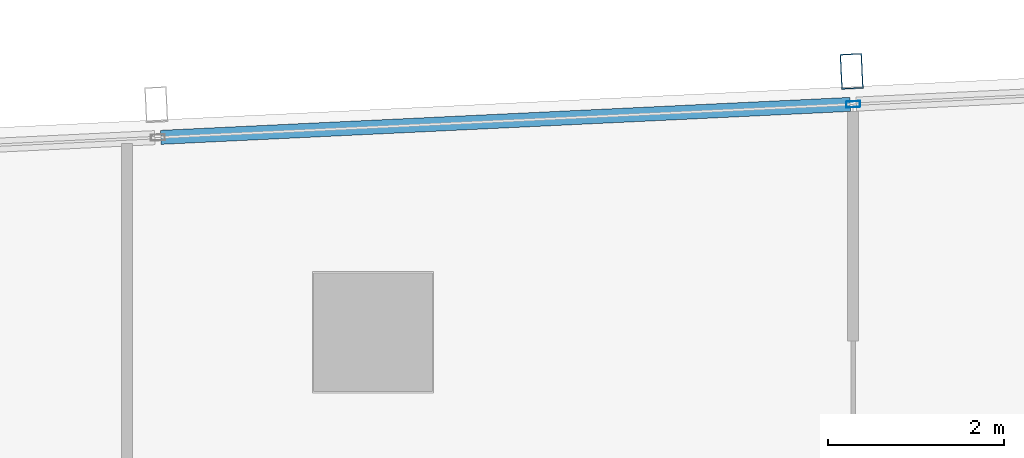
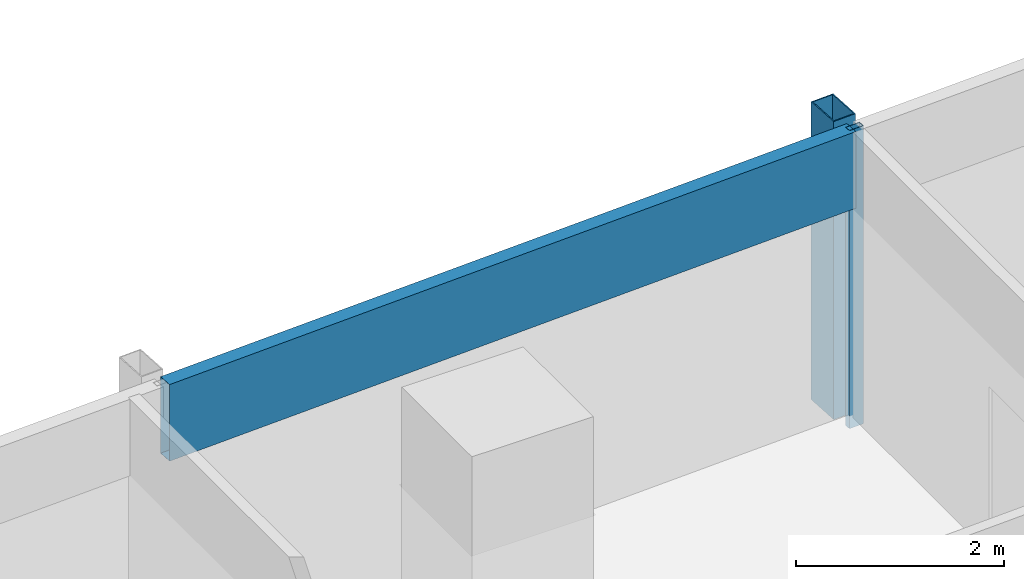
# One storey, part 18 of 39: 3 members, 1 element without a shape of its own.
"""IFC4 building model written with IfcOpenShell, lengths in metres."""

from ifc_helpers import new_model, si_unit, direction, frame, origin, origin_2d, place, context, subcontext, project, spatial, hollow_rectangle, extrude, material, material_profile, profile_set, type_object, element, aggregate, save


model = new_model("IFC4")

# Units and contexts
model_context = context("Model", 3, precision=1e-05, world=origin(), true_north=direction((0.0, 1.0)))
body_context = subcontext(model_context, "Body", "Model", "MODEL_VIEW")
ifc_project = project(units=[si_unit("LENGTHUNIT", "METRE"), si_unit("AREAUNIT", "SQUARE_METRE"), si_unit("VOLUMEUNIT", "CUBIC_METRE"), si_unit("PLANEANGLEUNIT", "RADIAN"), si_unit("MASSUNIT", "GRAM", prefix="KILO")], contexts=[model_context])

# Site, building, storey
site_placement = place(None, origin())
site = spatial("IfcSite", under=ifc_project, at=site_placement, CompositionType="ELEMENT")
building_placement = place(site_placement, origin())
building = spatial("IfcBuilding", under=site, at=building_placement, Name="Rekha Terrace Tower", CompositionType="ELEMENT")
storey_placement = place(building_placement, frame((0.0, 0.0, 221.449951171875)))
storey = spatial("IfcBuildingStorey", under=building, at=storey_placement, Name="L56", CompositionType="ELEMENT", Elevation=221.449951171875)

# Curtain wall, members
ifc_material_1 = material(Name="Aluminium framing", Category="aluminium")
curtain_wall_type = type_object("IfcCurtainWallType", Name="CW3 north unitised glazing", PredefinedType="USERDEFINED", material=ifc_material_1)
curtain_wall_placement = place(storey_placement, origin())
curtain_wall = element("IfcCurtainWall", 1, at=curtain_wall_placement, inside=storey, type_object=curtain_wall_type, Name="CW3 unitised curtain wall", ObjectType="UNITISED CURTAIN WALL", PredefinedType="USERDEFINED")
ifc_material_2 = material(Name="Steel S355 with fluorocarbon finish", Category="steel")
ifc_material_profile_1 = material_profile(ifc_material_2, hollow_rectangle(XDim=0.25, YDim=0.39990234375, WallThickness=0.012451171875, at=origin_2d()), Name="RHS400x250x12.5")
ifc_profile_set_1 = profile_set([ifc_material_profile_1], Name="Steel S355 with fluorocarbon finish")
member_type_1 = type_object("IfcMemberType", Name="BL1 facade blade RHS 400 x 250", PredefinedType="USERDEFINED", material=ifc_profile_set_1)
member_1_placement = place(storey_placement, frame((30.643310546875, 61.767578125, 0.0), z_axis=(0.0, 0.0, 1.0), x_axis=(-0.998858913274, -0.04775846913, 0.0)))
member_1 = element("IfcMember", 2, at=member_1_placement, type_object=member_type_1, Name="Facade blade", ObjectType="FACADE BLADE", PredefinedType="USERDEFINED", context=body_context, shape_type="SweptSolid", body=[
    extrude(hollow_rectangle(XDim=0.25, YDim=0.39990234375, WallThickness=0.012451171875, at=origin_2d()), origin(), (0.0, 0.0, 1.0), 3.5),
])
ifc_material_3 = material(Name="Aluminium mullion section", Category="aluminium")
ifc_material_profile_2 = material_profile(ifc_material_3, hollow_rectangle(XDim=0.070068359375, YDim=0.159912109375, WallThickness=0.00390625, at=origin_2d()), Name="AL RHS 70x160")
ifc_profile_set_2 = profile_set([ifc_material_profile_2], Name="Aluminium mullion section")
member_type_2 = type_object("IfcMemberType", Name="CW3 mullion RHS 70 x 160", PredefinedType="MULLION", material=ifc_profile_set_2)
member_2_placement = place(storey_placement, frame((30.6611328125, 61.39306640625, 0.0), z_axis=(0.0, 0.0, 1.0), x_axis=(0.047758616983, -0.998858906204, 0.0)))
member_2 = element("IfcMember", 3, at=member_2_placement, type_object=member_type_2, Name="CW3 mullion 3", PredefinedType="MULLION", context=body_context, shape_type="SweptSolid", body=[
    extrude(hollow_rectangle(XDim=0.070068359375, YDim=0.159912109375, WallThickness=0.00390625, at=origin_2d()), origin(), (0.0, 0.0, 1.0), 3.5),
])
ifc_material_4 = material(Name="Insulated aluminium spandrel box", Category="aluminium")
ifc_material_profile_3 = material_profile(ifc_material_4, hollow_rectangle(XDim=0.159912109375, YDim=0.89990234375, WallThickness=0.0029296875, at=origin_2d()), Name="AL SPANDREL BOX 160x900")
ifc_profile_set_3 = profile_set([ifc_material_profile_3], Name="Insulated aluminium spandrel box")
member_type_3 = type_object("IfcMemberType", Name="CW3 spandrel transom 160 x 900", PredefinedType="USERDEFINED", material=ifc_profile_set_3)
member_3_placement = place(storey_placement, frame((30.626220703125, 61.391357421875, 3.050048828125), z_axis=(-0.998859323292, -0.047749892907, 0.0), x_axis=(0.047749892907, -0.998859323292, 0.0)))
member_3 = element("IfcMember", 4, at=member_3_placement, type_object=member_type_3, Name="CW3 spandrel transom 3", ObjectType="TRANSOM", PredefinedType="USERDEFINED", context=body_context, shape_type="SweptSolid", body=[
    extrude(hollow_rectangle(XDim=0.159912109375, YDim=0.89990234375, WallThickness=0.0029296875, at=origin_2d()), origin(), (0.0, 0.0, 1.0), 7.848388671875),
])
aggregate(curtain_wall, [member_2, member_3, member_1])

save(model, "model.ifc")
